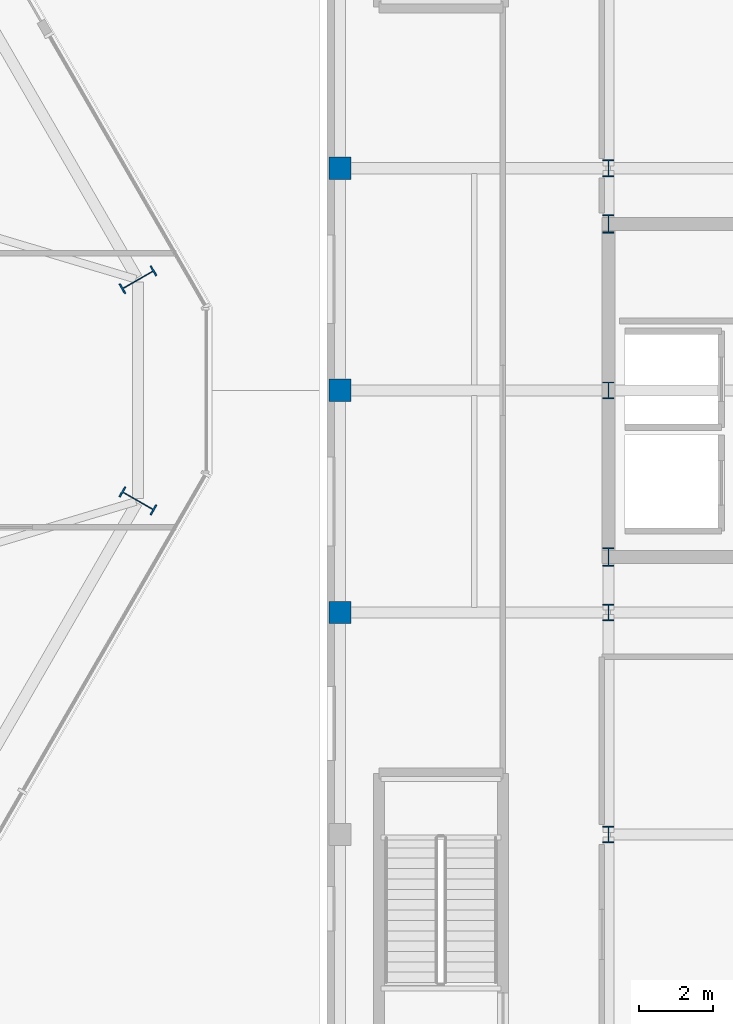
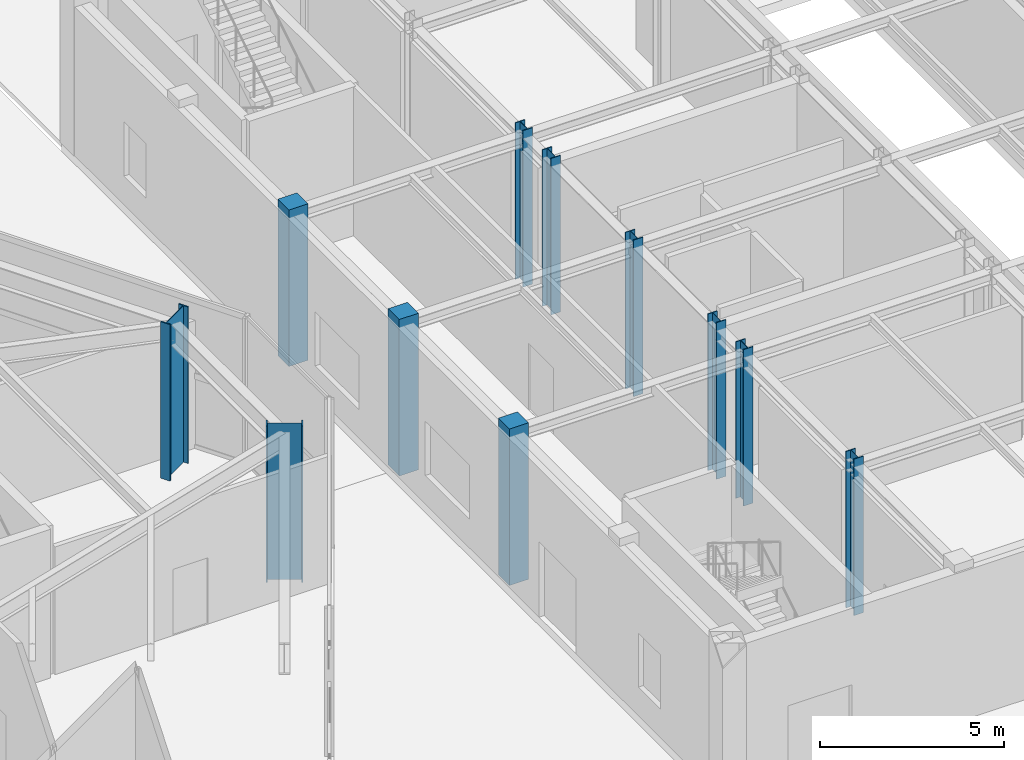
# One storey, part 2 of 26: 11 columns.
"""IFC4 building model written with IfcOpenShell, lengths in metres."""

from ifc_helpers import new_model, si_unit, direction, frame, origin, origin_2d, place, context, subcontext, project, spatial, rectangle, i_section, extrude, material, material_profile, profile_set, type_object, element, save


model = new_model("IFC4")

# Units and contexts
model_context = context("Model", 3, precision=1e-05, world=origin(), true_north=direction((0.0, 1.0)))
body_context = subcontext(model_context, "Body", "Model", "MODEL_VIEW")
ifc_project = project(units=[si_unit("LENGTHUNIT", "METRE"), si_unit("AREAUNIT", "SQUARE_METRE"), si_unit("VOLUMEUNIT", "CUBIC_METRE"), si_unit("PLANEANGLEUNIT", "RADIAN"), si_unit("MASSUNIT", "GRAM", prefix="KILO")], contexts=[model_context])

# Site, building, storey
site_placement = place(None, origin())
site = spatial("IfcSite", under=ifc_project, at=site_placement, CompositionType="ELEMENT")
building_placement = place(site_placement, origin())
building = spatial("IfcBuilding", under=site, at=building_placement, Name="Kranzbogen Civic Tower", CompositionType="ELEMENT")
storey_placement = place(building_placement, origin())
storey = spatial("IfcBuildingStorey", under=building, at=storey_placement, Name="L00", CompositionType="ELEMENT", Elevation=0.0)

# Columns
ifc_material_1 = material(Name="Steel S355", Category="steel")
ifc_material_profile_1 = material_profile(ifc_material_1, i_section(OverallWidth=0.300048828125, OverallDepth=0.449951171875, WebThickness=0.013916015625, FlangeThickness=0.02587890625, at=origin_2d()), Name="HEB 450")
ifc_profile_set_1 = profile_set([ifc_material_profile_1], Name="Steel S355")
column_type_1 = type_object("IfcColumnType", Name="Structural Column HEB 450", PredefinedType="COLUMN", material=ifc_profile_set_1)
for number, where, z_axis, x_axis, name in (
    (1, (59.60009765625, 13.0, 0.0), (0.0, 0.0, 1.0), (1.0, 0.0, 0.0), "L00 Health Centre column 11/C"),
    (2, (59.60009765625, 19.0, 0.0), (0.0, 0.0, 1.0), (1.0, 0.0, 0.0), "L00 Health Centre column 11/D"),
    (3, (59.60009765625, 25.0, 0.0), (0.0, 0.0, 1.0), (1.0, 0.0, 0.0), "L00 Health Centre column 11/E"),
    (4, (59.60009765625, 31.0, 0.0), (0.0, 0.0, 1.0), (1.0, 0.0, 0.0), "L00 Health Centre column 11/F"),
):
    element("IfcColumn", number, at=place(storey_placement, frame(where, z_axis=z_axis, x_axis=x_axis)), inside=storey, type_object=column_type_1, Name=name, PredefinedType="COLUMN", context=body_context, shape_type="SweptSolid", body=[
        extrude(i_section(OverallWidth=0.300048828125, OverallDepth=0.449951171875, WebThickness=0.013916015625, FlangeThickness=0.02587890625, at=origin_2d()), origin(), (0.0, 0.0, 1.0), 5.199951171875),
    ])
ifc_material_profile_2 = material_profile(ifc_material_1, i_section(OverallWidth=0.300048828125, OverallDepth=0.5, WebThickness=0.014404296875, FlangeThickness=0.028076171875, at=origin_2d()), Name="HEB 500")
ifc_profile_set_2 = profile_set([ifc_material_profile_2], Name="Steel S355")
column_type_2 = type_object("IfcColumnType", Name="Structural Column HEB 500", PredefinedType="COLUMN", material=ifc_profile_set_2)
for number, where, z_axis, x_axis, name in (
    (5, (59.60009765625, 20.5, 0.0), (0.0, 0.0, 1.0), (1.0, 0.0, 0.0), "L00 Health Centre core corner column 1"),
    (6, (59.60009765625, 29.5, 0.0), (0.0, 0.0, 1.0), (1.0, 0.0, 0.0), "L00 Health Centre core corner column 4"),
):
    element("IfcColumn", number, at=place(storey_placement, frame(where, z_axis=z_axis, x_axis=x_axis)), inside=storey, type_object=column_type_2, Name=name, PredefinedType="COLUMN", context=body_context, shape_type="SweptSolid", body=[
        extrude(i_section(OverallWidth=0.300048828125, OverallDepth=0.5, WebThickness=0.014404296875, FlangeThickness=0.028076171875, at=origin_2d()), origin(), (0.0, 0.0, 1.0), 5.199951171875),
    ])
ifc_material_2 = material(Name="Steel S460", Category="steel")
ifc_material_profile_3 = material_profile(ifc_material_2, i_section(OverallWidth=0.302001953125, OverallDepth=1.008056640625, WebThickness=0.02099609375, FlangeThickness=0.0400390625, at=origin_2d()), Name="HEM 1000")
ifc_profile_set_3 = profile_set([ifc_material_profile_3], Name="Steel S460")
column_type_3 = type_object("IfcColumnType", Name="Structural Column HEM 1000", PredefinedType="COLUMN", material=ifc_profile_set_3)
for number, where, z_axis, x_axis, name in (
    (7, (46.889892578125, 27.986083984375, 0.0), (0.0, 0.0, 1.0), (-0.5, 0.866025403784, 0.0), "L00 tower perimeter tube column 01"),
    (8, (46.889892578125, 22.013916015625, 0.0), (0.0, 0.0, 1.0), (0.5, 0.866025403784, 0.0), "L00 tower perimeter tube column 12"),
):
    element("IfcColumn", number, at=place(storey_placement, frame(where, z_axis=z_axis, x_axis=x_axis)), inside=storey, type_object=column_type_3, Name=name, PredefinedType="COLUMN", context=body_context, shape_type="SweptSolid", body=[
        extrude(i_section(OverallWidth=0.302001953125, OverallDepth=1.008056640625, WebThickness=0.02099609375, FlangeThickness=0.0400390625, at=origin_2d()), origin(), (0.0, 0.0, 1.0), 5.199951171875),
    ])
ifc_material_3 = material(Name="Concrete C40/50", Category="concrete")
ifc_material_profile_4 = material_profile(ifc_material_3, rectangle(XDim=0.60009765625, YDim=0.60009765625, at=origin_2d()), Name="RC 600x600")
ifc_profile_set_4 = profile_set([ifc_material_profile_4], Name="Concrete C40/50")
column_type_4 = type_object("IfcColumnType", Name="Structural Column RC 600x600", PredefinedType="COLUMN", material=ifc_profile_set_4)
for number, where, z_axis, x_axis, name in (
    (9, (52.35009765625, 19.0, 0.0), (0.0, 0.0, 1.0), (1.0, 0.0, 0.0), "L00 Health Centre column 10/D"),
    (10, (52.35009765625, 25.0, 0.0), (0.0, 0.0, 1.0), (1.0, 0.0, 0.0), "L00 Health Centre column 10/E"),
    (11, (52.35009765625, 31.0, 0.0), (0.0, 0.0, 1.0), (1.0, 0.0, 0.0), "L00 Health Centre column 10/F"),
):
    element("IfcColumn", number, at=place(storey_placement, frame(where, z_axis=z_axis, x_axis=x_axis)), inside=storey, type_object=column_type_4, Name=name, PredefinedType="COLUMN", context=body_context, shape_type="SweptSolid", body=[
        extrude(rectangle(XDim=0.60009765625, YDim=0.60009765625, at=origin_2d()), origin(), (0.0, 0.0, 1.0), 5.199951171875),
    ])

save(model, "model.ifc")
